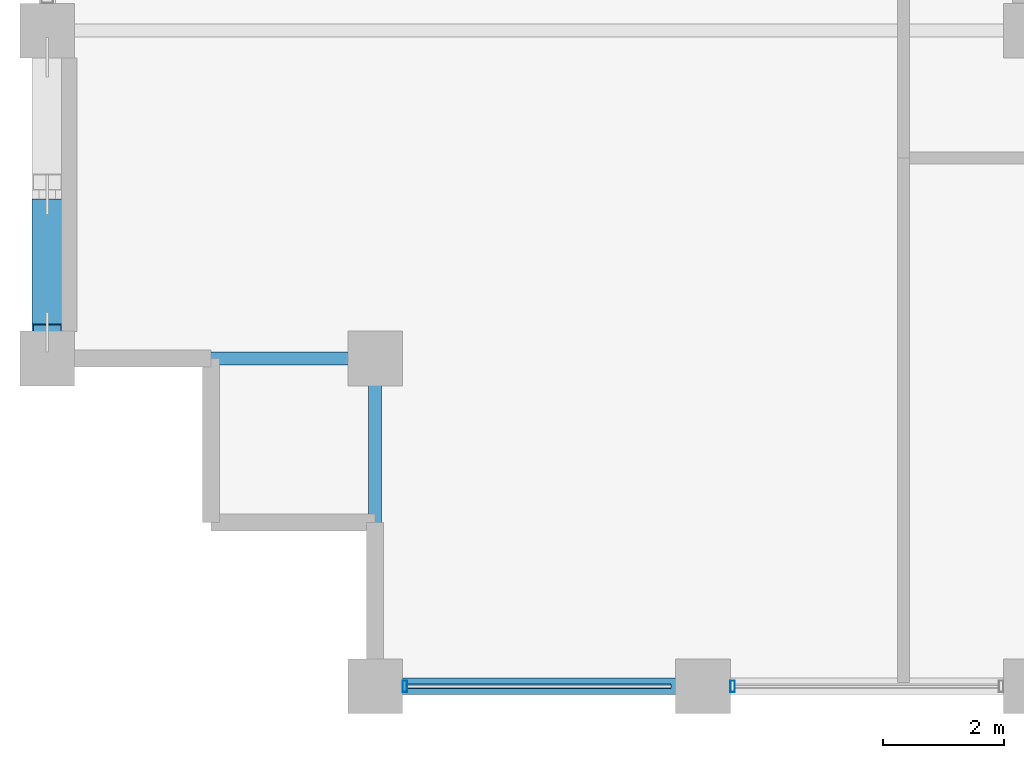
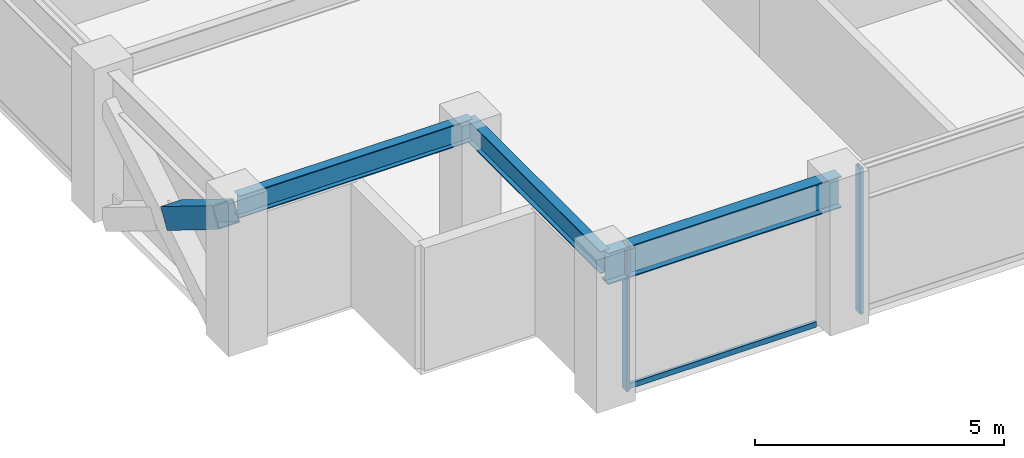
# One storey, part 2 of 32: 4 members, 3 beams, 1 element without a shape of its own.
"""IFC4 building model written with IfcOpenShell, lengths in metres."""

from ifc_helpers import new_model, si_unit, direction, frame, origin, origin_2d, place, context, subcontext, project, spatial, hollow_rectangle, i_section, extrude, material, layer, layer_set, material_profile, profile_set, type_object, element, aggregate, save


model = new_model("IFC4")

# Units and contexts
model_context = context("Model", 3, precision=1e-05, world=origin(), true_north=direction((0.0, 1.0)))
body_context = subcontext(model_context, "Body", "Model", "MODEL_VIEW")
ifc_project = project(units=[si_unit("LENGTHUNIT", "METRE"), si_unit("AREAUNIT", "SQUARE_METRE"), si_unit("VOLUMEUNIT", "CUBIC_METRE"), si_unit("PLANEANGLEUNIT", "RADIAN"), si_unit("MASSUNIT", "GRAM", prefix="KILO")], contexts=[model_context])

# Site, building, storey
site_placement = place(None, origin())
site = spatial("IfcSite", under=ifc_project, at=site_placement, CompositionType="ELEMENT")
building_placement = place(site_placement, origin())
building = spatial("IfcBuilding", under=site, at=building_placement, Name="Surkhivell Harbour Commons", CompositionType="ELEMENT")
storey_placement = place(building_placement, frame((0.0, 0.0, 201.0)))
storey = spatial("IfcBuildingStorey", under=building, at=storey_placement, Name="L52", CompositionType="ELEMENT", Elevation=201.0)

# Beams
ifc_material_1 = material(Name="Steel S355", Category="steel")
ifc_material_profile_1 = material_profile(ifc_material_1, i_section(OverallWidth=0.2119140625, OverallDepth=0.5439453125, WebThickness=0.0126953125, FlangeThickness=0.021240234375, at=origin_2d()), Name="UB533x210x122")
ifc_profile_set_1 = profile_set([ifc_material_profile_1], Name="Steel S355")
beam_type_1 = type_object("IfcBeamType", Name="BM-GRD-533A", PredefinedType="BEAM", material=ifc_profile_set_1)
beam_1_placement = place(storey_placement, frame((-27.0, -16.199951171875, 3.298095703125), z_axis=(1.0, 0.0, 0.0), x_axis=(0.0, 1.0, 0.0)))
element("IfcBeam", 1, at=beam_1_placement, inside=storey, type_object=beam_type_1, Name="L52 Floor Girder (-27.0,-16.2)", PredefinedType="BEAM", context=body_context, shape_type="SweptSolid", body=[
    extrude(i_section(OverallWidth=0.2119140625, OverallDepth=0.5439453125, WebThickness=0.0126953125, FlangeThickness=0.021240234375, at=origin_2d()), origin(), (0.0, 0.0, 1.0), 5.39990234375),
])
beam_2_placement = place(storey_placement, frame((-21.60009765625, -21.60009765625, 3.298095703125), z_axis=(0.0, 1.0, 0.0), x_axis=(-1.0, 0.0, 0.0)))
element("IfcBeam", 2, at=beam_2_placement, inside=storey, type_object=beam_type_1, Name="L52 Floor Girder (-21.6,-21.6)", PredefinedType="BEAM", context=body_context, shape_type="SweptSolid", body=[
    extrude(i_section(OverallWidth=0.2119140625, OverallDepth=0.5439453125, WebThickness=0.0126953125, FlangeThickness=0.021240234375, at=origin_2d()), origin(), (0.0, 0.0, 1.0), 5.400146484375),
])
ifc_material_profile_2 = material_profile(ifc_material_1, i_section(OverallWidth=0.26806640625, OverallDepth=0.77001953125, WebThickness=0.015625, FlangeThickness=0.025390625, at=origin_2d()), Name="UB762x267x197")
ifc_profile_set_2 = profile_set([ifc_material_profile_2], Name="Steel S355")
beam_type_2 = type_object("IfcBeamType", Name="BM-SPN-762", PredefinedType="SPANDREL", material=ifc_profile_set_2)
beam_3_placement = place(storey_placement, frame((-21.60009765625, -21.60009765625, 3.18505859375), z_axis=(1.0, 0.0, 0.0), x_axis=(0.0, 1.0, 0.0)))
element("IfcBeam", 3, at=beam_3_placement, inside=storey, type_object=beam_type_2, Name="L52 Tube Spandrel (-21.6,-21.6)", PredefinedType="SPANDREL", context=body_context, shape_type="SweptSolid", body=[
    extrude(i_section(OverallWidth=0.26806640625, OverallDepth=0.77001953125, WebThickness=0.015625, FlangeThickness=0.025390625, at=origin_2d()), origin(), (0.0, 0.0, 1.0), 5.400146484375),
])

# Curtain wall, members
ifc_material_2 = material(Name="Anodised pale-metal aluminium and insulated glazing", Category="aluminium")
ifc_layer = layer(ifc_material_2, 0.18994140625)
ifc_layer_set = layer_set([ifc_layer], Name="Anodised pale-metal aluminium and insulated glazing")
curtain_wall_type = type_object("IfcCurtainWallType", Name="CW-SYS-Z3", PredefinedType="NOTDEFINED", material=ifc_layer_set)
curtain_wall_placement = place(storey_placement, origin())
curtain_wall = element("IfcCurtainWall", 4, at=curtain_wall_placement, inside=storey, type_object=curtain_wall_type, Name="L52 Curtain Wall CW-L52-E00S1", PredefinedType="NOTDEFINED")
ifc_material_3 = material(Name="Anodised pale-metal aluminium alloy 6063-T6", Category="aluminium")
ifc_material_profile_3 = material_profile(ifc_material_3, hollow_rectangle(XDim=0.074951171875, YDim=0.18994140625, WallThickness=0.00390625, at=origin_2d()), Name="ALU-MULL-75x190")
ifc_profile_set_3 = profile_set([ifc_material_profile_3], Name="Anodised pale-metal aluminium alloy 6063-T6")
member_type_1 = type_object("IfcMemberType", Name="CWM-190", PredefinedType="MULLION", material=ifc_profile_set_3)
member_1_placement = place(storey_placement, frame((-21.110595703125, -21.60009765625, 0.0), z_axis=(0.0, 0.0, 1.0), x_axis=(1.0, 0.0, 0.0)))
member_1 = element("IfcMember", 5, at=member_1_placement, type_object=member_type_1, Name="CW-Z3 mullion 1", PredefinedType="MULLION", context=body_context, shape_type="SweptSolid", body=[
    extrude(hollow_rectangle(XDim=0.074951171875, YDim=0.18994140625, WallThickness=0.00390625, at=origin_2d()), origin(), (0.0, 0.0, 1.0), 3.570068359375),
])
member_2_placement = place(storey_placement, frame((-15.71044921875, -21.60009765625, 0.0), z_axis=(0.0, 0.0, 1.0), x_axis=(1.0, 0.0, 0.0)))
member_2 = element("IfcMember", 6, at=member_2_placement, type_object=member_type_1, Name="CW-Z3 mullion 2", PredefinedType="MULLION", context=body_context, shape_type="SweptSolid", body=[
    extrude(hollow_rectangle(XDim=0.074951171875, YDim=0.18994140625, WallThickness=0.00390625, at=origin_2d()), origin(), (0.0, 0.0, 1.0), 3.570068359375),
])
ifc_material_4 = material(Name="Champagne anodised aluminium alloy 6063-T6", Category="aluminium")
ifc_material_profile_4 = material_profile(ifc_material_4, hollow_rectangle(XDim=0.070068359375, YDim=0.1298828125, WallThickness=0.00341796875, at=origin_2d()), Name="ALU-TRAN-70x130")
ifc_profile_set_4 = profile_set([ifc_material_profile_4], Name="Champagne anodised aluminium alloy 6063-T6")
member_type_2 = type_object("IfcMemberType", Name="CWT-130", PredefinedType="USERDEFINED", material=ifc_profile_set_4)
member_3_placement = place(storey_placement, frame((-21.072998046875, -21.60009765625, 0.06494140625), z_axis=(1.0, 0.0, 0.0), x_axis=(0.0, 1.0, 0.0)))
member_3 = element("IfcMember", 7, at=member_3_placement, type_object=member_type_2, Name="CW-Z3 transom 1.1", ObjectType="TRANSOM", PredefinedType="USERDEFINED", context=body_context, shape_type="SweptSolid", body=[
    extrude(hollow_rectangle(XDim=0.070068359375, YDim=0.1298828125, WallThickness=0.00341796875, at=origin_2d()), origin(), (0.0, 0.0, 1.0), 4.345947265625),
])
aggregate(curtain_wall, [member_1, member_3, member_2])

# Member
ifc_material_5 = material(Name="Steel S460", Category="steel")
ifc_material_profile_5 = material_profile(ifc_material_5, hollow_rectangle(XDim=0.5, YDim=0.5, WallThickness=0.02490234375, at=origin_2d()), Name="SHS500x500x25")
ifc_profile_set_5 = profile_set([ifc_material_profile_5], Name="Steel S460")
member_type_3 = type_object("IfcMemberType", Name="MEM-BRC-SHS500", PredefinedType="BRACE", material=ifc_profile_set_5)
member_4_placement = place(storey_placement, frame((-27.0, -13.7041015625, 1.531982421875), z_axis=(0.0, -0.850958361341, 0.525233155146), x_axis=(1.0, 0.0, 0.0)))
element("IfcMember", 8, at=member_4_placement, inside=storey, type_object=member_type_3, Name="L52 Perimeter Mega-Brace MB- 12", PredefinedType="BRACE", context=body_context, shape_type="SweptSolid", body=[
    extrude(hollow_rectangle(XDim=0.5, YDim=0.5, WallThickness=0.02490234375, at=origin_2d()), origin(), (0.0, 0.0, 1.0), 2.421630859375),
])

save(model, "model.ifc")
